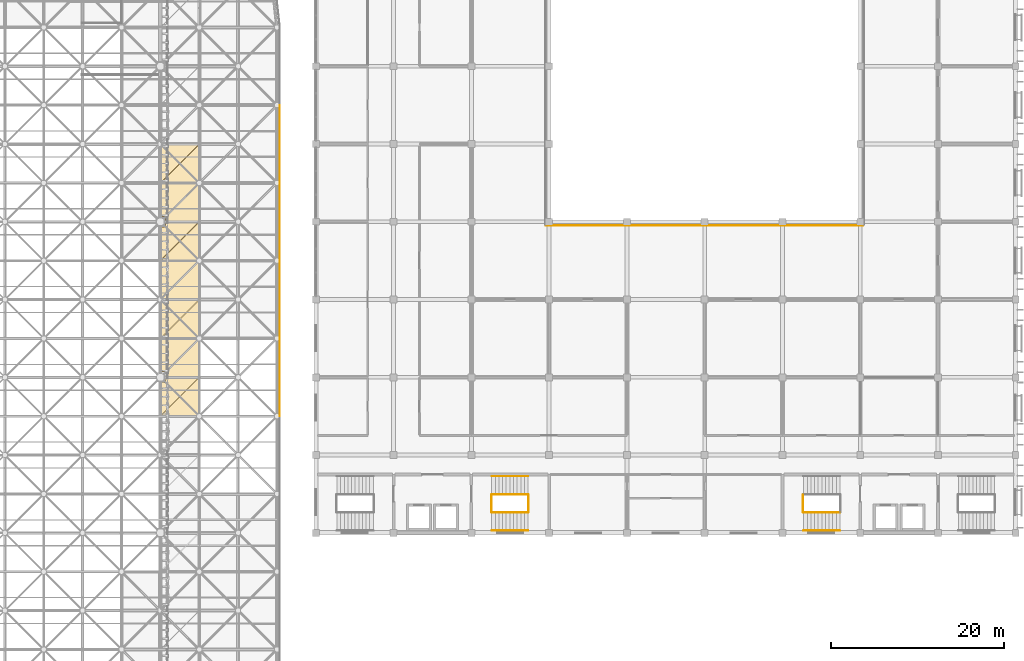
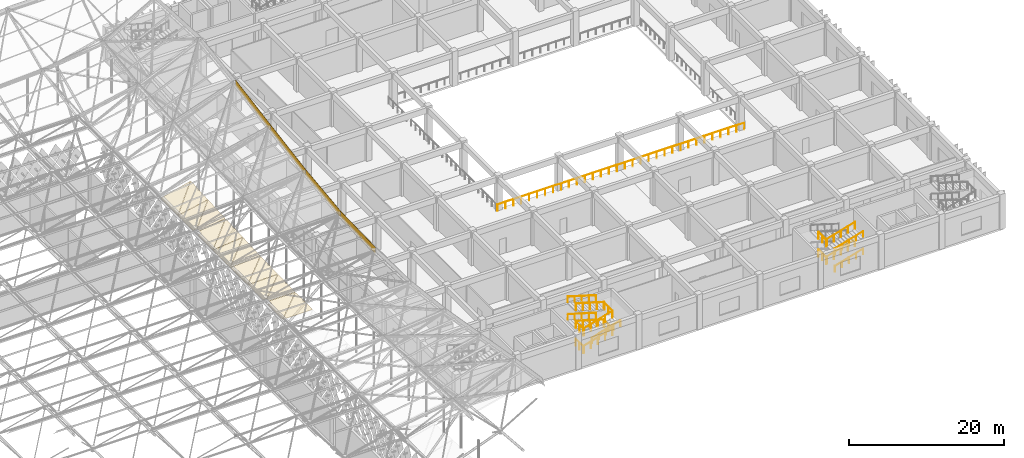
# One storey, part 429 of 437: 18 coverings, 18 railings.
"""IFC4 building model written with IfcOpenShell, lengths in metres."""

from ifc_helpers import new_model, si_unit, direction, frame, origin, origin_2d, place, context, subcontext, project, spatial, polyline, circle, outline, extrude, material, layer, layer_set, constituent, constituent_set, type_object, element, save


model = new_model("IFC4")

# Units and contexts
model_context = context("Model", 3, precision=1e-05, world=origin(), true_north=direction((0.0, 1.0)))
body_context = subcontext(model_context, "Body", "Model", "MODEL_VIEW")
ifc_project = project(units=[si_unit("LENGTHUNIT", "METRE"), si_unit("AREAUNIT", "SQUARE_METRE"), si_unit("VOLUMEUNIT", "CUBIC_METRE"), si_unit("PLANEANGLEUNIT", "RADIAN"), si_unit("MASSUNIT", "GRAM", prefix="KILO")], contexts=[model_context])

# Site, building, storey
site_placement = place(None, origin())
site = spatial("IfcSite", under=ifc_project, at=site_placement, CompositionType="ELEMENT")
building_placement = place(site_placement, origin())
building = spatial("IfcBuilding", under=site, at=building_placement, Name="Opaline Strait Convention Centre", CompositionType="ELEMENT")
storey_placement = place(building_placement, frame((0.0, 0.0, 11.5)))
storey = spatial("IfcBuildingStorey", under=building, at=storey_placement, Name="L02", CompositionType="ELEMENT", Elevation=11.5)

# Coverings
ifc_material_1 = material(Name="White aluminium fascia plate", Category="aluminium")
ifc_layer_1 = layer(ifc_material_1, 0.02001953125)
ifc_layer_set_1 = layer_set([ifc_layer_1], Name="White aluminium fascia plate")
covering_type_1 = type_object("IfcCoveringType", Name="Edge fascia plate 20 aluminium", PredefinedType="CLADDING", material=ifc_layer_set_1)
covering_1_placement = place(storey_placement, frame((274.800048828125, 108.0, 18.12646484375), z_axis=(1.0, 0.0, 0.0), x_axis=(0.0, 1.0, 0.0)))
element("IfcCovering", 1, at=covering_1_placement, inside=storey, type_object=covering_type_1, Name="Edge fascia plate E", PredefinedType="CLADDING", context=body_context, shape_type="SweptSolid", body=[
    extrude(outline(polyline([(-4.5, 0.373779296875), (4.5, 0.62646484375), (4.5, -0.37353515625), (-4.5, -0.626220703125), (-4.5, 0.373779296875)])), origin(), (0.0, 0.0, 1.0), 0.02001953125),
])
covering_2_placement = place(storey_placement, frame((274.800048828125, 117.0, 18.79638671875), z_axis=(1.0, 0.0, 0.0), x_axis=(0.0, 1.0, 0.0)))
element("IfcCovering", 2, at=covering_2_placement, inside=storey, type_object=covering_type_1, Name="Edge fascia plate E", PredefinedType="CLADDING", context=body_context, shape_type="SweptSolid", body=[
    extrude(outline(polyline([(-4.5, -0.043701171875), (4.5, 1.043701171875), (4.5, 0.043701171875), (-4.5, -1.043701171875), (-4.5, -0.043701171875)])), origin(), (0.0, 0.0, 1.0), 0.02001953125),
])
covering_3_placement = place(storey_placement, frame((274.800048828125, 126.0, 20.103515625), z_axis=(1.0, 0.0, 0.0), x_axis=(0.0, 1.0, 0.0)))
element("IfcCovering", 3, at=covering_3_placement, inside=storey, type_object=covering_type_1, Name="Edge fascia plate E", PredefinedType="CLADDING", context=body_context, shape_type="SweptSolid", body=[
    extrude(outline(polyline([(-4.5, -0.263671875), (4.5, 1.263671875), (4.5, 0.263671875), (-4.5, -1.263671875), (-4.5, -0.263671875)])), origin(), (0.0, 0.0, 1.0), 0.02001953125),
])
covering_4_placement = place(storey_placement, frame((274.800048828125, 135.0, 21.65966796875), z_axis=(1.0, 0.0, 0.0), x_axis=(0.0, 1.0, 0.0)))
element("IfcCovering", 4, at=covering_4_placement, inside=storey, type_object=covering_type_1, Name="Edge fascia plate E", PredefinedType="CLADDING", context=body_context, shape_type="SweptSolid", body=[
    extrude(outline(polyline([(-4.5, -0.29248046875), (4.5, 1.29248046875), (4.5, 0.29248046875), (-4.5, -1.29248046875), (-4.5, -0.29248046875)])), origin(), (0.0, 0.0, 1.0), 0.02001953125),
])

# Railings
ifc_material_2 = material(Name="Steel Q235B", Category="steel")
ifc_constituent_1 = constituent(ifc_material_2, Name="Frame")
ifc_material_3 = material(Name="Safety glass, bonded interlayer", Category="glass")
ifc_constituent_2 = constituent(ifc_material_3, Name="Infill")
ifc_constituent_set = constituent_set(constituents=[ifc_constituent_1, ifc_constituent_2], Name="Steel Q235B, Safety glass, bonded interlayer")
railing_type_1 = type_object("IfcRailingType", Name="Guard 1100 steel and glass", PredefinedType="GUARDRAIL", material=ifc_constituent_set)
railing_1_placement = place(storey_placement, frame((299.349853515625, 92.349853515625, 0.125)))
element("IfcRailing", 5, at=railing_1_placement, inside=storey, type_object=railing_type_1, Name="L02 S2 stair guard 1", PredefinedType="GUARDRAIL", context=body_context, shape_type="SweptSolid", body=[
    extrude(circle(Radius=0.02392578125, at=origin_2d()), frame((0.0, 0.0, 1.076171875), z_axis=(0.958451171748, 0.0, 0.285256641246), x_axis=(0.0, 1.0, 0.0)), (0.0, 0.0, 1.0), 4.382080078125),
    extrude(circle(Radius=0.02099609375, at=origin_2d()), origin(), (0.0, 0.0, 1.0), 1.052001953125),
    extrude(circle(Radius=0.02099609375, at=origin_2d()), frame((1.050048828125, 0.0, 0.3125)), (0.0, 0.0, 1.0), 1.052001953125),
    extrude(circle(Radius=0.02099609375, at=origin_2d()), frame((2.10009765625, 0.0, 0.625)), (0.0, 0.0, 1.0), 1.052001953125),
    extrude(circle(Radius=0.02099609375, at=origin_2d()), frame((3.14990234375, 0.0, 0.9375)), (0.0, 0.0, 1.0), 1.052001953125),
    extrude(circle(Radius=0.02099609375, at=origin_2d()), frame((4.199951171875, 0.0, 1.25)), (0.0, 0.0, 1.0), 1.052001953125),
])
railing_2_placement = place(storey_placement, frame((303.599853515625, 92.39990234375, 1.375)))
element("IfcRailing", 6, at=railing_2_placement, inside=storey, type_object=railing_type_1, Name="L02 S2 stair guard 2", PredefinedType="GUARDRAIL", context=body_context, shape_type="SweptSolid", body=[
    extrude(circle(Radius=0.02392578125, at=origin_2d()), frame((0.0, 0.0, 1.076171875), z_axis=(0.0, 1.0, 0.0), x_axis=(-1.0, 0.0, 0.0)), (0.0, 0.0, 1.0), 2.0),
    extrude(circle(Radius=0.02099609375, at=origin_2d()), origin(), (0.0, 0.0, 1.0), 1.052001953125),
    extrude(circle(Radius=0.02099609375, at=origin_2d()), frame((0.0, 1.0, 0.0)), (0.0, 0.0, 1.0), 1.052001953125),
    extrude(circle(Radius=0.02099609375, at=origin_2d()), frame((0.0, 2.0, 0.0)), (0.0, 0.0, 1.0), 1.052001953125),
])
railing_3_placement = place(storey_placement, frame((303.5498046875, 94.449951171875, 1.5)))
element("IfcRailing", 7, at=railing_3_placement, inside=storey, type_object=railing_type_1, Name="L02 S2 stair guard 3", PredefinedType="GUARDRAIL", context=body_context, shape_type="SweptSolid", body=[
    extrude(circle(Radius=0.02392578125, at=origin_2d()), frame((0.0, 0.0, 1.076171875), z_axis=(-0.958451171748, 0.0, 0.285256641246), x_axis=(0.0, -1.0, 0.0)), (0.0, 0.0, 1.0), 4.382080078125),
    extrude(circle(Radius=0.02099609375, at=origin_2d()), origin(), (0.0, 0.0, 1.0), 1.052001953125),
    extrude(circle(Radius=0.02099609375, at=origin_2d()), frame((-1.050048828125, 0.0, 0.3125)), (0.0, 0.0, 1.0), 1.052001953125),
    extrude(circle(Radius=0.02099609375, at=origin_2d()), frame((-2.10009765625, 0.0, 0.625)), (0.0, 0.0, 1.0), 1.052001953125),
    extrude(circle(Radius=0.02099609375, at=origin_2d()), frame((-3.14990234375, 0.0, 0.9375)), (0.0, 0.0, 1.0), 1.052001953125),
    extrude(circle(Radius=0.02099609375, at=origin_2d()), frame((-4.199951171875, 0.0, 1.25)), (0.0, 0.0, 1.0), 1.052001953125),
])
railing_4_placement = place(storey_placement, frame((299.2998046875, 92.39990234375, 2.75)))
element("IfcRailing", 8, at=railing_4_placement, inside=storey, type_object=railing_type_1, Name="L02 S2 stair guard 4", PredefinedType="GUARDRAIL", context=body_context, shape_type="SweptSolid", body=[
    extrude(circle(Radius=0.02392578125, at=origin_2d()), frame((0.0, 0.0, 1.076171875), z_axis=(0.0, 1.0, 0.0), x_axis=(-1.0, 0.0, 0.0)), (0.0, 0.0, 1.0), 2.0),
    extrude(circle(Radius=0.02099609375, at=origin_2d()), origin(), (0.0, 0.0, 1.0), 1.052001953125),
    extrude(circle(Radius=0.02099609375, at=origin_2d()), frame((0.0, 1.0, 0.0)), (0.0, 0.0, 1.0), 1.052001953125),
    extrude(circle(Radius=0.02099609375, at=origin_2d()), frame((0.0, 2.0, 0.0)), (0.0, 0.0, 1.0), 1.052001953125),
])
railing_5_placement = place(storey_placement, frame((299.349853515625, 92.349853515625, 2.875)))
element("IfcRailing", 9, at=railing_5_placement, inside=storey, type_object=railing_type_1, Name="L02 S2 stair guard 5", PredefinedType="GUARDRAIL", context=body_context, shape_type="SweptSolid", body=[
    extrude(circle(Radius=0.02392578125, at=origin_2d()), frame((0.0, 0.0, 1.076171875), z_axis=(0.958451171748, 0.0, 0.285256641246), x_axis=(0.0, 1.0, 0.0)), (0.0, 0.0, 1.0), 4.382080078125),
    extrude(circle(Radius=0.02099609375, at=origin_2d()), origin(), (0.0, 0.0, 1.0), 1.052001953125),
    extrude(circle(Radius=0.02099609375, at=origin_2d()), frame((1.050048828125, 0.0, 0.3125)), (0.0, 0.0, 1.0), 1.052001953125),
    extrude(circle(Radius=0.02099609375, at=origin_2d()), frame((2.10009765625, 0.0, 0.625)), (0.0, 0.0, 1.0), 1.052001953125),
    extrude(circle(Radius=0.02099609375, at=origin_2d()), frame((3.14990234375, 0.0, 0.9375)), (0.0, 0.0, 1.0), 1.052001953125),
    extrude(circle(Radius=0.02099609375, at=origin_2d()), frame((4.199951171875, 0.0, 1.25)), (0.0, 0.0, 1.0), 1.052001953125),
])
railing_6_placement = place(storey_placement, frame((303.599853515625, 92.39990234375, 4.125)))
element("IfcRailing", 10, at=railing_6_placement, inside=storey, type_object=railing_type_1, Name="L02 S2 stair guard 6", PredefinedType="GUARDRAIL", context=body_context, shape_type="SweptSolid", body=[
    extrude(circle(Radius=0.02392578125, at=origin_2d()), frame((0.0, 0.0, 1.076171875), z_axis=(0.0, 1.0, 0.0), x_axis=(-1.0, 0.0, 0.0)), (0.0, 0.0, 1.0), 2.0),
    extrude(circle(Radius=0.02099609375, at=origin_2d()), origin(), (0.0, 0.0, 1.0), 1.052001953125),
    extrude(circle(Radius=0.02099609375, at=origin_2d()), frame((0.0, 1.0, 0.0)), (0.0, 0.0, 1.0), 1.052001953125),
    extrude(circle(Radius=0.02099609375, at=origin_2d()), frame((0.0, 2.0, 0.0)), (0.0, 0.0, 1.0), 1.052001953125),
])
railing_7_placement = place(storey_placement, frame((303.5498046875, 94.449951171875, 4.25)))
element("IfcRailing", 11, at=railing_7_placement, inside=storey, type_object=railing_type_1, Name="L02 S2 stair guard 7", PredefinedType="GUARDRAIL", context=body_context, shape_type="SweptSolid", body=[
    extrude(circle(Radius=0.02392578125, at=origin_2d()), frame((0.0, 0.0, 1.076171875), z_axis=(-0.958451171748, 0.0, 0.285256641246), x_axis=(0.0, -1.0, 0.0)), (0.0, 0.0, 1.0), 4.382080078125),
    extrude(circle(Radius=0.02099609375, at=origin_2d()), origin(), (0.0, 0.0, 1.0), 1.052001953125),
    extrude(circle(Radius=0.02099609375, at=origin_2d()), frame((-1.050048828125, 0.0, 0.3125)), (0.0, 0.0, 1.0), 1.052001953125),
    extrude(circle(Radius=0.02099609375, at=origin_2d()), frame((-2.10009765625, 0.0, 0.625)), (0.0, 0.0, 1.0), 1.052001953125),
    extrude(circle(Radius=0.02099609375, at=origin_2d()), frame((-3.14990234375, 0.0, 0.9375)), (0.0, 0.0, 1.0), 1.052001953125),
    extrude(circle(Radius=0.02099609375, at=origin_2d()), frame((-4.199951171875, 0.0, 1.25)), (0.0, 0.0, 1.0), 1.052001953125),
])
railing_8_placement = place(storey_placement, frame((299.2998046875, 92.39990234375, 0.0)))
element("IfcRailing", 12, at=railing_8_placement, inside=storey, type_object=railing_type_1, Name="L02 S2 stair guard 8", PredefinedType="GUARDRAIL", context=body_context, shape_type="SweptSolid", body=[
    extrude(circle(Radius=0.02392578125, at=origin_2d()), frame((0.0, 0.0, 1.076171875), z_axis=(0.0, 1.0, 0.0), x_axis=(-1.0, 0.0, 0.0)), (0.0, 0.0, 1.0), 2.0),
    extrude(circle(Radius=0.02099609375, at=origin_2d()), origin(), (0.0, 0.0, 1.0), 1.052001953125),
    extrude(circle(Radius=0.02099609375, at=origin_2d()), frame((0.0, 1.0, 0.0)), (0.0, 0.0, 1.0), 1.052001953125),
    extrude(circle(Radius=0.02099609375, at=origin_2d()), frame((0.0, 2.0, 0.0)), (0.0, 0.0, 1.0), 1.052001953125),
])
railing_9_placement = place(storey_placement, frame((335.400146484375, 94.400146484375, 1.375)))
element("IfcRailing", 13, at=railing_9_placement, inside=storey, type_object=railing_type_1, Name="L02 S4 stair guard 2", PredefinedType="GUARDRAIL", context=body_context, shape_type="SweptSolid", body=[
    extrude(circle(Radius=0.02392578125, at=origin_2d()), frame((0.0, 0.0, 1.076171875), z_axis=(0.0, -1.0, 0.0), x_axis=(1.0, 0.0, 0.0)), (0.0, 0.0, 1.0), 2.0),
    extrude(circle(Radius=0.02099609375, at=origin_2d()), origin(), (0.0, 0.0, 1.0), 1.052001953125),
    extrude(circle(Radius=0.02099609375, at=origin_2d()), frame((0.0, -1.0, 0.0)), (0.0, 0.0, 1.0), 1.052001953125),
    extrude(circle(Radius=0.02099609375, at=origin_2d()), frame((0.0, -2.0, 0.0)), (0.0, 0.0, 1.0), 1.052001953125),
])
railing_10_placement = place(storey_placement, frame((335.4501953125, 92.35009765625, 1.5)))
element("IfcRailing", 14, at=railing_10_placement, inside=storey, type_object=railing_type_1, Name="L02 S4 stair guard 3", PredefinedType="GUARDRAIL", context=body_context, shape_type="SweptSolid", body=[
    extrude(circle(Radius=0.02392578125, at=origin_2d()), frame((0.0, 0.0, 1.076171875), z_axis=(0.958451171748, 0.0, 0.285256641246), x_axis=(0.0, 1.0, 0.0)), (0.0, 0.0, 1.0), 4.382080078125),
    extrude(circle(Radius=0.02099609375, at=origin_2d()), origin(), (0.0, 0.0, 1.0), 1.052001953125),
    extrude(circle(Radius=0.02099609375, at=origin_2d()), frame((1.050048828125, 0.0, 0.3125)), (0.0, 0.0, 1.0), 1.052001953125),
    extrude(circle(Radius=0.02099609375, at=origin_2d()), frame((2.10009765625, 0.0, 0.625)), (0.0, 0.0, 1.0), 1.052001953125),
    extrude(circle(Radius=0.02099609375, at=origin_2d()), frame((3.14990234375, 0.0, 0.9375)), (0.0, 0.0, 1.0), 1.052001953125),
    extrude(circle(Radius=0.02099609375, at=origin_2d()), frame((4.199951171875, 0.0, 1.25)), (0.0, 0.0, 1.0), 1.052001953125),
])
railing_11_placement = place(storey_placement, frame((335.400146484375, 94.400146484375, 4.125)))
element("IfcRailing", 15, at=railing_11_placement, inside=storey, type_object=railing_type_1, Name="L02 S4 stair guard 6", PredefinedType="GUARDRAIL", context=body_context, shape_type="SweptSolid", body=[
    extrude(circle(Radius=0.02392578125, at=origin_2d()), frame((0.0, 0.0, 1.076171875), z_axis=(0.0, -1.0, 0.0), x_axis=(1.0, 0.0, 0.0)), (0.0, 0.0, 1.0), 2.0),
    extrude(circle(Radius=0.02099609375, at=origin_2d()), origin(), (0.0, 0.0, 1.0), 1.052001953125),
    extrude(circle(Radius=0.02099609375, at=origin_2d()), frame((0.0, -1.0, 0.0)), (0.0, 0.0, 1.0), 1.052001953125),
    extrude(circle(Radius=0.02099609375, at=origin_2d()), frame((0.0, -2.0, 0.0)), (0.0, 0.0, 1.0), 1.052001953125),
])
railing_12_placement = place(storey_placement, frame((335.4501953125, 92.35009765625, 4.25)))
element("IfcRailing", 16, at=railing_12_placement, inside=storey, type_object=railing_type_1, Name="L02 S4 stair guard 7", PredefinedType="GUARDRAIL", context=body_context, shape_type="SweptSolid", body=[
    extrude(circle(Radius=0.02392578125, at=origin_2d()), frame((0.0, 0.0, 1.076171875), z_axis=(0.958451171748, 0.0, 0.285256641246), x_axis=(0.0, 1.0, 0.0)), (0.0, 0.0, 1.0), 4.382080078125),
    extrude(circle(Radius=0.02099609375, at=origin_2d()), origin(), (0.0, 0.0, 1.0), 1.052001953125),
    extrude(circle(Radius=0.02099609375, at=origin_2d()), frame((1.050048828125, 0.0, 0.3125)), (0.0, 0.0, 1.0), 1.052001953125),
    extrude(circle(Radius=0.02099609375, at=origin_2d()), frame((2.10009765625, 0.0, 0.625)), (0.0, 0.0, 1.0), 1.052001953125),
    extrude(circle(Radius=0.02099609375, at=origin_2d()), frame((3.14990234375, 0.0, 0.9375)), (0.0, 0.0, 1.0), 1.052001953125),
    extrude(circle(Radius=0.02099609375, at=origin_2d()), frame((4.199951171875, 0.0, 1.25)), (0.0, 0.0, 1.0), 1.052001953125),
])
railing_13_placement = place(storey_placement, frame((305.64990234375, 125.550048828125, 0.0)))
element("IfcRailing", 17, at=railing_13_placement, inside=storey, type_object=railing_type_1, Name="Atrium edge guard L02 S", PredefinedType="GUARDRAIL", context=body_context, shape_type="SweptSolid", body=[
    extrude(circle(Radius=0.02392578125, at=origin_2d()), frame((0.0, 0.0, 1.076171875), z_axis=(1.0, 0.0, 0.0), x_axis=(0.0, 1.0, 0.0)), (0.0, 0.0, 1.0), 36.7001953125),
    extrude(circle(Radius=0.02099609375, at=origin_2d()), origin(), (0.0, 0.0, 1.0), 1.052001953125),
    extrude(circle(Radius=0.02099609375, at=origin_2d()), frame((1.183837890625, 0.0, 0.0)), (0.0, 0.0, 1.0), 1.052001953125),
    extrude(circle(Radius=0.02099609375, at=origin_2d()), frame((2.36767578125, 0.0, 0.0)), (0.0, 0.0, 1.0), 1.052001953125),
    extrude(circle(Radius=0.02099609375, at=origin_2d()), frame((3.551513671875, 0.0, 0.0)), (0.0, 0.0, 1.0), 1.052001953125),
    extrude(circle(Radius=0.02099609375, at=origin_2d()), frame((4.735595703125, 0.0, 0.0)), (0.0, 0.0, 1.0), 1.052001953125),
    extrude(circle(Radius=0.02099609375, at=origin_2d()), frame((5.91943359375, 0.0, 0.0)), (0.0, 0.0, 1.0), 1.052001953125),
    extrude(circle(Radius=0.02099609375, at=origin_2d()), frame((7.103271484375, 0.0, 0.0)), (0.0, 0.0, 1.0), 1.052001953125),
    extrude(circle(Radius=0.02099609375, at=origin_2d()), frame((8.287109375, 0.0, 0.0)), (0.0, 0.0, 1.0), 1.052001953125),
    extrude(circle(Radius=0.02099609375, at=origin_2d()), frame((9.470947265625, 0.0, 0.0)), (0.0, 0.0, 1.0), 1.052001953125),
    extrude(circle(Radius=0.02099609375, at=origin_2d()), frame((10.65478515625, 0.0, 0.0)), (0.0, 0.0, 1.0), 1.052001953125),
    extrude(circle(Radius=0.02099609375, at=origin_2d()), frame((11.8388671875, 0.0, 0.0)), (0.0, 0.0, 1.0), 1.052001953125),
    extrude(circle(Radius=0.02099609375, at=origin_2d()), frame((13.022705078125, 0.0, 0.0)), (0.0, 0.0, 1.0), 1.052001953125),
    extrude(circle(Radius=0.02099609375, at=origin_2d()), frame((14.20654296875, 0.0, 0.0)), (0.0, 0.0, 1.0), 1.052001953125),
    extrude(circle(Radius=0.02099609375, at=origin_2d()), frame((15.390380859375, 0.0, 0.0)), (0.0, 0.0, 1.0), 1.052001953125),
    extrude(circle(Radius=0.02099609375, at=origin_2d()), frame((16.57421875, 0.0, 0.0)), (0.0, 0.0, 1.0), 1.052001953125),
    extrude(circle(Radius=0.02099609375, at=origin_2d()), frame((17.758056640625, 0.0, 0.0)), (0.0, 0.0, 1.0), 1.052001953125),
    extrude(circle(Radius=0.02099609375, at=origin_2d()), frame((18.942138671875, 0.0, 0.0)), (0.0, 0.0, 1.0), 1.052001953125),
    extrude(circle(Radius=0.02099609375, at=origin_2d()), frame((20.1259765625, 0.0, 0.0)), (0.0, 0.0, 1.0), 1.052001953125),
    extrude(circle(Radius=0.02099609375, at=origin_2d()), frame((21.309814453125, 0.0, 0.0)), (0.0, 0.0, 1.0), 1.052001953125),
    extrude(circle(Radius=0.02099609375, at=origin_2d()), frame((22.49365234375, 0.0, 0.0)), (0.0, 0.0, 1.0), 1.052001953125),
    extrude(circle(Radius=0.02099609375, at=origin_2d()), frame((23.677490234375, 0.0, 0.0)), (0.0, 0.0, 1.0), 1.052001953125),
    extrude(circle(Radius=0.02099609375, at=origin_2d()), frame((24.861328125, 0.0, 0.0)), (0.0, 0.0, 1.0), 1.052001953125),
    extrude(circle(Radius=0.02099609375, at=origin_2d()), frame((26.04541015625, 0.0, 0.0)), (0.0, 0.0, 1.0), 1.052001953125),
    extrude(circle(Radius=0.02099609375, at=origin_2d()), frame((27.229248046875, 0.0, 0.0)), (0.0, 0.0, 1.0), 1.052001953125),
    extrude(circle(Radius=0.02099609375, at=origin_2d()), frame((28.4130859375, 0.0, 0.0)), (0.0, 0.0, 1.0), 1.052001953125),
    extrude(circle(Radius=0.02099609375, at=origin_2d()), frame((29.596923828125, 0.0, 0.0)), (0.0, 0.0, 1.0), 1.052001953125),
    extrude(circle(Radius=0.02099609375, at=origin_2d()), frame((30.78076171875, 0.0, 0.0)), (0.0, 0.0, 1.0), 1.052001953125),
    extrude(circle(Radius=0.02099609375, at=origin_2d()), frame((31.964599609375, 0.0, 0.0)), (0.0, 0.0, 1.0), 1.052001953125),
    extrude(circle(Radius=0.02099609375, at=origin_2d()), frame((33.148681640625, 0.0, 0.0)), (0.0, 0.0, 1.0), 1.052001953125),
    extrude(circle(Radius=0.02099609375, at=origin_2d()), frame((34.33251953125, 0.0, 0.0)), (0.0, 0.0, 1.0), 1.052001953125),
    extrude(circle(Radius=0.02099609375, at=origin_2d()), frame((35.516357421875, 0.0, 0.0)), (0.0, 0.0, 1.0), 1.052001953125),
    extrude(circle(Radius=0.02099609375, at=origin_2d()), frame((36.7001953125, 0.0, 0.0)), (0.0, 0.0, 1.0), 1.052001953125),
])

# Coverings
ifc_material_4 = material(Name="White aluminium soffit panel", Category="aluminium")
ifc_layer_2 = layer(ifc_material_4, 0.011962890625)
ifc_layer_set_2 = layer_set([ifc_layer_2], Name="White aluminium soffit panel")
covering_type_2 = type_object("IfcCoveringType", Name="Soffit lining panel 12 aluminium", PredefinedType="CEILING", material=ifc_layer_set_2)
covering_5_placement = place(storey_placement, frame((261.04833984375, 103.52001953125, 11.989990234375), z_axis=(-0.00099162578, 0.0, 0.999999508339), x_axis=(0.707106607358, 0.707106607358, 0.000701185485)))
element("IfcCovering", 18, at=covering_5_placement, inside=storey, type_object=covering_type_2, Name="Soffit lining panel", PredefinedType="CEILING", context=body_context, shape_type="SweptSolid", body=[
    extrude(outline(polyline([(0.0, 0.0), (6.2672878161295325, -5.14484424030473e-16), (3.1336454487555305, -3.133643908064388), (0.0, 0.0)])), origin(), (0.0, 0.0, -1.0), 0.011962890625),
])
covering_6_placement = place(storey_placement, frame((261.60009765625, 107.97998046875, 11.990478515625), z_axis=(-0.000996943757, 2.031398e-05, 0.999999502845), x_axis=(0.999999503051, -3.51e-10, 0.000996943758)))
element("IfcCovering", 19, at=covering_6_placement, inside=storey, type_object=covering_type_2, Name="Soffit lining panel", PredefinedType="CEILING", context=body_context, shape_type="SweptSolid", body=[
    extrude(outline(polyline([(0.0, 0.0), (3.8515644802831477, 0.0), (-0.5800783219666356, -4.431640626117697), (-0.5800783233166383, -0.580078126912386), (2.0332191868635044e-10, -0.5800781248803131), (0.0, 0.0)])), origin(), (0.0, 0.0, -1.0), 0.011962890625),
])
covering_7_placement = place(storey_placement, frame((265.47998046875, 108.02001953125, 11.994873046875), z_axis=(-0.000979902902, -0.025026440529, 0.999686309331), x_axis=(-0.999999519616, 9.09156e-07, -0.000980187153)))
element("IfcCovering", 20, at=covering_7_placement, inside=storey, type_object=covering_type_2, Name="Soffit lining panel", PredefinedType="CEILING", context=body_context, shape_type="SweptSolid", body=[
    extrude(outline(polyline([(0.0, 0.0), (3.879884538219108, 1.3552527156068805e-20), (3.87987163885707, -0.5519271544217762), (-0.00010485403956552274, -4.43303262449921), (0.0, 0.0)])), origin(), (0.0, 0.0, -1.0), 0.011962890625),
])
covering_8_placement = place(storey_placement, frame((265.45166015625, 112.47998046875, 12.105712890625), z_axis=(-0.026005311496, 1.309102e-05, 0.999661804613), x_axis=(-0.706987180748, -0.706987421553, -0.01838238351)))
element("IfcCovering", 21, at=covering_8_placement, inside=storey, type_object=covering_type_2, Name="Soffit lining panel", PredefinedType="CEILING", context=body_context, shape_type="SweptSolid", body=[
    extrude(outline(polyline([(0.0, 0.0), (5.487909253945506, 1.4333152720258369e-16), (5.878259739569927, -0.3902187376539449), (3.1352313940319494, -3.1341732073433217), (0.0, 0.0)])), origin(), (0.0, 0.0, -1.0), 0.011962890625),
])
covering_9_placement = place(storey_placement, frame((261.04833984375, 112.52001953125, 11.99169921875), z_axis=(-0.026040754402, -0.02499471987, 0.999348359227), x_axis=(0.706646194878, 0.706646194878, 0.036087539811)))
element("IfcCovering", 22, at=covering_9_placement, inside=storey, type_object=covering_type_2, Name="Soffit lining panel", PredefinedType="CEILING", context=body_context, shape_type="SweptSolid", body=[
    extrude(outline(polyline([(0.0, 0.0), (6.271371242247661, 2.9162327934428856e-16), (3.1357693202518107, -3.1336439949185104), (0.0, 0.0)])), origin(), (0.0, 0.0, -1.0), 0.011962890625),
])
covering_10_placement = place(storey_placement, frame((261.02001953125, 112.54833984375, 11.990966796875), z_axis=(-0.05100228863, 0.0, 0.998698536373), x_axis=(0.0, 1.0, 0.0)))
element("IfcCovering", 23, at=covering_10_placement, inside=storey, type_object=covering_type_2, Name="Soffit lining panel", PredefinedType="CEILING", context=body_context, shape_type="SweptSolid", body=[
    extrude(outline(polyline([(0.0, 0.0), (4.431640625, 0.0), (4.431640625, -4.437415760207802), (0.0, 0.0)])), origin(), (0.0, 0.0, -1.0), 0.011962890625),
])
covering_11_placement = place(storey_placement, frame((261.04833984375, 117.02001953125, 11.993408203125), z_axis=(-0.050939599634, -0.049565824024, 0.997470995206), x_axis=(0.705318837527, 0.705318837527, 0.071068100145)))
element("IfcCovering", 24, at=covering_11_placement, inside=storey, type_object=covering_type_2, Name="Soffit lining panel", PredefinedType="CEILING", context=body_context, shape_type="SweptSolid", body=[
    extrude(outline(polyline([(0.0, 0.0), (6.283173494325447, 2.60587992156891e-16), (3.1418036297925616, -3.1336446162197245), (0.0, 0.0)])), origin(), (0.0, 0.0, -1.0), 0.011962890625),
])
covering_12_placement = place(storey_placement, frame((261.02001953125, 117.04833984375, 11.99072265625), z_axis=(-0.100306879711, 0.0, 0.994956546731), x_axis=(0.0, 1.0, 0.0)))
element("IfcCovering", 25, at=covering_12_placement, inside=storey, type_object=covering_type_2, Name="Soffit lining panel", PredefinedType="CEILING", context=body_context, shape_type="SweptSolid", body=[
    extrude(outline(polyline([(0.0, 0.0), (4.431640625, 0.0), (4.431640625, -4.4541046938794215), (0.0, 0.0)])), origin(), (0.0, 0.0, -1.0), 0.011962890625),
])
covering_13_placement = place(storey_placement, frame((261.04833984375, 121.52001953125, 11.990966796875), z_axis=(-0.10013004148, -0.049435444208, 0.993745496417), x_axis=(0.703136079276, 0.703136079276, 0.105826783196)))
element("IfcCovering", 26, at=covering_13_placement, inside=storey, type_object=covering_type_2, Name="Soffit lining panel", PredefinedType="CEILING", context=body_context, shape_type="SweptSolid", body=[
    extrude(outline(polyline([(0.0, 0.0), (6.302678465262751, -2.3245294578089215e-16), (3.163301586298352, -3.135658400522258), (0.0, 0.0)])), origin(), (0.0, 0.0, -1.0), 0.011962890625),
])
covering_14_placement = place(storey_placement, frame((261.60009765625, 125.97998046875, 12.063720703125), z_axis=(-0.148824877536, -2.2325263e-05, 0.988863567601), x_axis=(0.988863567847, -4.19e-10, 0.148824877573)))
element("IfcCovering", 27, at=covering_14_placement, inside=storey, type_object=covering_type_2, Name="Soffit lining panel", PredefinedType="CEILING", context=body_context, shape_type="SweptSolid", body=[
    extrude(outline(polyline([(0.0, 0.0), (3.89492722307491, 0.0), (-0.5866257655705148, -4.431640626349988), (-0.5866257671829254, -0.58007812730983), (2.4284276093876263e-10, -0.5800781248554395), (0.0, 0.0)])), origin(), (0.0, 0.0, -1.0), 0.011962890625),
])
covering_15_placement = place(storey_placement, frame((261.60009765625, 126.02001953125, 12.061279296875), z_axis=(-0.148573940327, -0.057988065463, 0.987199659907), x_axis=(1.6047595e-05, 0.998279118851, 0.058641287573)))
element("IfcCovering", 28, at=covering_15_placement, inside=storey, type_object=covering_type_2, Name="Soffit lining panel", PredefinedType="CEILING", context=body_context, shape_type="SweptSolid", body=[
    extrude(outline(polyline([(0.0, 0.0), (0.5527124267213961, 8.673617379884035e-19), (4.473583780810703, -3.9233551584681536), (0.03430785846228062, -3.923436166966505), (0.0, 0.0)])), origin(), (0.0, 0.0, -1.0), 0.011962890625),
])
covering_16_placement = place(storey_placement, frame((261.57177734375, 126.60009765625, 12.07470703125), z_axis=(-0.204804393512, 7.290009e-06, 0.978802922117), x_axis=(-0.978802922143, 3.66e-10, -0.204804393517)))
element("IfcCovering", 29, at=covering_16_placement, inside=storey, type_object=covering_type_2, Name="Soffit lining panel", PredefinedType="CEILING", context=body_context, shape_type="SweptSolid", body=[
    extrude(outline(polyline([(0.0, 0.0), (0.5637126665471802, 1.0587911840678754e-22), (0.563712667966354, -3.8798828123969034), (-3.96389419954379, -3.8798828142591932), (0.0, 0.0)])), origin(), (0.0, 0.0, -1.0), 0.011962890625),
])
covering_17_placement = place(storey_placement, frame((261.04833984375, 130.52001953125, 11.9638671875), z_axis=(-0.204462037064, -0.057279517492, 0.977197181881), x_axis=(0.694755567167, 0.694755567167, 0.186089773445)))
element("IfcCovering", 30, at=covering_17_placement, inside=storey, type_object=covering_type_2, Name="Soffit lining panel", PredefinedType="CEILING", context=body_context, shape_type="SweptSolid", body=[
    extrude(outline(polyline([(0.0, 0.0), (6.378704733623482, 2.498001805406602e-16), (3.251458011415933, -3.1507530445155765), (0.0, 0.0)])), origin(), (0.0, 0.0, -1.0), 0.011962890625),
])
covering_18_placement = place(storey_placement, frame((261.02001953125, 130.54833984375, 11.9423828125), z_axis=(-0.258728992059, 0.0, 0.96594995143), x_axis=(0.0, 1.0, 0.0)))
element("IfcCovering", 31, at=covering_18_placement, inside=storey, type_object=covering_type_2, Name="Soffit lining panel", PredefinedType="CEILING", context=body_context, shape_type="SweptSolid", body=[
    extrude(outline(polyline([(0.0, 0.0), (4.431640625, 0.0), (4.431640625, -4.587857392029555), (0.0, 0.0)])), origin(), (0.0, 0.0, -1.0), 0.011962890625),
])

# Railings
ifc_material_5 = material(Name="Stainless steel 304", Category="steel")
railing_type_2 = type_object("IfcRailingType", Name="Stair handrail 900 stainless steel", PredefinedType="HANDRAIL", material=ifc_material_5)
railing_14_placement = place(storey_placement, frame((303.5498046875, 96.550048828125, 1.5)))
element("IfcRailing", 32, at=railing_14_placement, inside=storey, type_object=railing_type_2, Name="L02 S2 stair handrail 2", PredefinedType="HANDRAIL", context=body_context, shape_type="SweptSolid", body=[
    extrude(circle(Radius=0.02392578125, at=origin_2d()), frame((0.0, 0.0, 0.8759765625), z_axis=(-0.958451171748, 0.0, 0.285256641246), x_axis=(0.0, -1.0, 0.0)), (0.0, 0.0, 1.0), 4.382080078125),
    extrude(circle(Radius=0.02099609375, at=origin_2d()), origin(), (0.0, 0.0, 1.0), 0.851806640625),
    extrude(circle(Radius=0.02099609375, at=origin_2d()), frame((-1.050048828125, 0.0, 0.3125)), (0.0, 0.0, 1.0), 0.851806640625),
    extrude(circle(Radius=0.02099609375, at=origin_2d()), frame((-2.10009765625, 0.0, 0.625)), (0.0, 0.0, 1.0), 0.851806640625),
    extrude(circle(Radius=0.02099609375, at=origin_2d()), frame((-3.14990234375, 0.0, 0.9375)), (0.0, 0.0, 1.0), 0.851806640625),
    extrude(circle(Radius=0.02099609375, at=origin_2d()), frame((-4.199951171875, 0.0, 1.25)), (0.0, 0.0, 1.0), 0.851806640625),
])
railing_15_placement = place(storey_placement, frame((299.349853515625, 90.25, 2.875)))
element("IfcRailing", 33, at=railing_15_placement, inside=storey, type_object=railing_type_2, Name="L02 S2 stair handrail 3", PredefinedType="HANDRAIL", context=body_context, shape_type="SweptSolid", body=[
    extrude(circle(Radius=0.02392578125, at=origin_2d()), frame((0.0, 0.0, 0.8759765625), z_axis=(0.958451171748, 0.0, 0.285256641246), x_axis=(0.0, 1.0, 0.0)), (0.0, 0.0, 1.0), 4.382080078125),
    extrude(circle(Radius=0.02099609375, at=origin_2d()), origin(), (0.0, 0.0, 1.0), 0.851806640625),
    extrude(circle(Radius=0.02099609375, at=origin_2d()), frame((1.050048828125, 0.0, 0.3125)), (0.0, 0.0, 1.0), 0.851806640625),
    extrude(circle(Radius=0.02099609375, at=origin_2d()), frame((2.10009765625, 0.0, 0.625)), (0.0, 0.0, 1.0), 0.851806640625),
    extrude(circle(Radius=0.02099609375, at=origin_2d()), frame((3.14990234375, 0.0, 0.9375)), (0.0, 0.0, 1.0), 0.851806640625),
    extrude(circle(Radius=0.02099609375, at=origin_2d()), frame((4.199951171875, 0.0, 1.25)), (0.0, 0.0, 1.0), 0.851806640625),
])
railing_16_placement = place(storey_placement, frame((303.5498046875, 96.550048828125, 4.25)))
element("IfcRailing", 34, at=railing_16_placement, inside=storey, type_object=railing_type_2, Name="L02 S2 stair handrail 4", PredefinedType="HANDRAIL", context=body_context, shape_type="SweptSolid", body=[
    extrude(circle(Radius=0.02392578125, at=origin_2d()), frame((0.0, 0.0, 0.8759765625), z_axis=(-0.958451171748, 0.0, 0.285256641246), x_axis=(0.0, -1.0, 0.0)), (0.0, 0.0, 1.0), 4.382080078125),
    extrude(circle(Radius=0.02099609375, at=origin_2d()), origin(), (0.0, 0.0, 1.0), 0.851806640625),
    extrude(circle(Radius=0.02099609375, at=origin_2d()), frame((-1.050048828125, 0.0, 0.3125)), (0.0, 0.0, 1.0), 0.851806640625),
    extrude(circle(Radius=0.02099609375, at=origin_2d()), frame((-2.10009765625, 0.0, 0.625)), (0.0, 0.0, 1.0), 0.851806640625),
    extrude(circle(Radius=0.02099609375, at=origin_2d()), frame((-3.14990234375, 0.0, 0.9375)), (0.0, 0.0, 1.0), 0.851806640625),
    extrude(circle(Radius=0.02099609375, at=origin_2d()), frame((-4.199951171875, 0.0, 1.25)), (0.0, 0.0, 1.0), 0.851806640625),
])
for number, where, name in (
    (35, (335.4501953125, 90.25, 1.5), "L02 S4 stair handrail 2"),
    (36, (335.4501953125, 90.25, 4.25), "L02 S4 stair handrail 4"),
):
    element("IfcRailing", number, at=place(storey_placement, frame(where)), inside=storey, type_object=railing_type_2, Name=name, PredefinedType="HANDRAIL", context=body_context, shape_type="SweptSolid", body=[
        extrude(circle(Radius=0.02392578125, at=origin_2d()), frame((0.0, 0.0, 0.8759765625), z_axis=(0.958451171748, 0.0, 0.285256641246), x_axis=(0.0, 1.0, 0.0)), (0.0, 0.0, 1.0), 4.382080078125),
        extrude(circle(Radius=0.02099609375, at=origin_2d()), origin(), (0.0, 0.0, 1.0), 0.851806640625),
        extrude(circle(Radius=0.02099609375, at=origin_2d()), frame((1.050048828125, 0.0, 0.3125)), (0.0, 0.0, 1.0), 0.851806640625),
        extrude(circle(Radius=0.02099609375, at=origin_2d()), frame((2.10009765625, 0.0, 0.625)), (0.0, 0.0, 1.0), 0.851806640625),
        extrude(circle(Radius=0.02099609375, at=origin_2d()), frame((3.14990234375, 0.0, 0.9375)), (0.0, 0.0, 1.0), 0.851806640625),
        extrude(circle(Radius=0.02099609375, at=origin_2d()), frame((4.199951171875, 0.0, 1.25)), (0.0, 0.0, 1.0), 0.851806640625),
    ])

save(model, "model.ifc")
